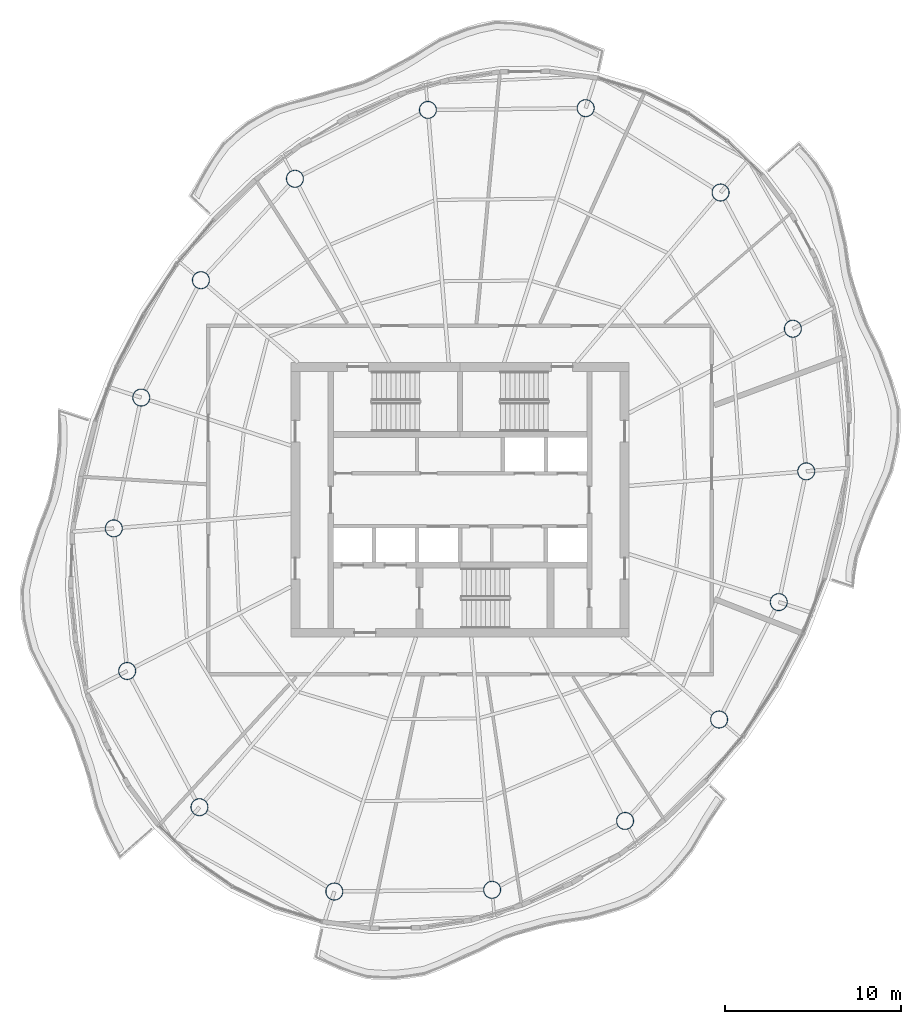
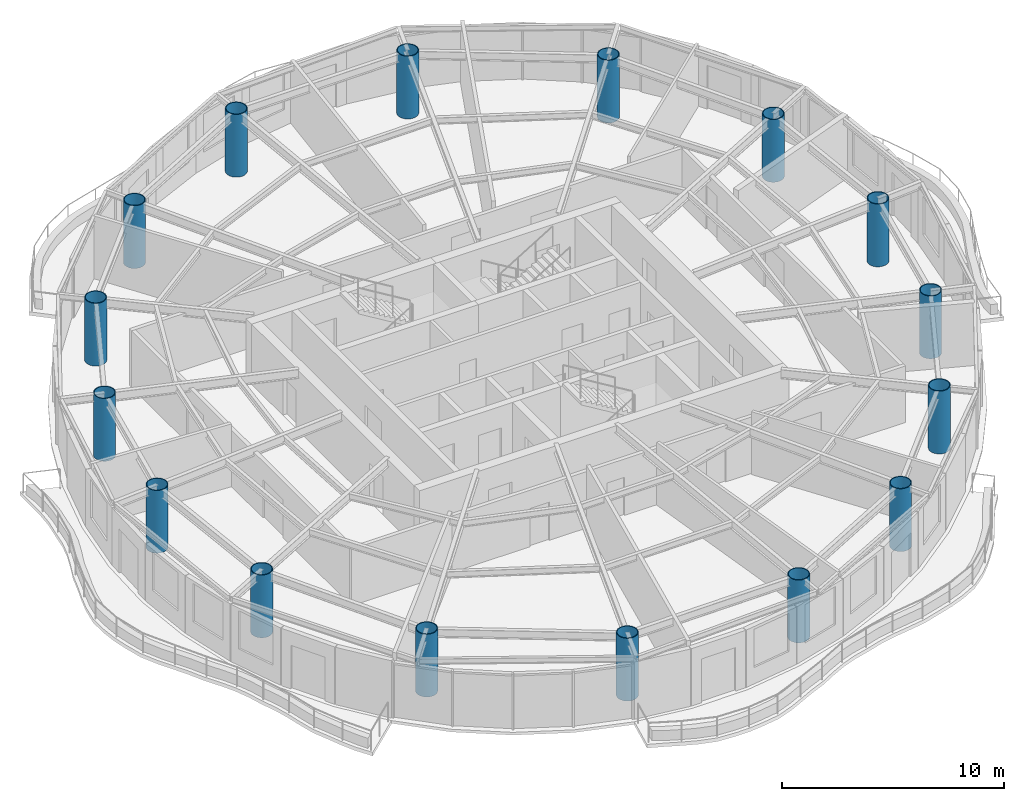
# One storey, part 1 of 13: 16 columns.
"""IFC4 building model written with IfcOpenShell, lengths in metres."""

from ifc_helpers import new_model, si_unit, direction, frame, origin, origin_2d, place, context, subcontext, project, spatial, hollow_circle, extrude, material, material_profile, profile_set, type_object, element, save


model = new_model("IFC4")

# Units and contexts
model_context = context("Model", 3, precision=1e-05, world=origin(), true_north=direction((0.0, 1.0)))
body_context = subcontext(model_context, "Body", "Model", "MODEL_VIEW")
ifc_project = project(units=[si_unit("LENGTHUNIT", "METRE"), si_unit("AREAUNIT", "SQUARE_METRE"), si_unit("VOLUMEUNIT", "CUBIC_METRE"), si_unit("PLANEANGLEUNIT", "RADIAN"), si_unit("MASSUNIT", "GRAM", prefix="KILO")], contexts=[model_context])

# Site, building, storey
site_placement = place(None, origin())
site = spatial("IfcSite", under=ifc_project, at=site_placement, CompositionType="ELEMENT")
building_placement = place(site_placement, origin())
building = spatial("IfcBuilding", under=site, at=building_placement, Name="Vermilion Reach Broadcast Tower", CompositionType="ELEMENT")
storey_placement = place(building_placement, frame((0.0, 0.0, 272.10009765625)))
storey = spatial("IfcBuildingStorey", under=building, at=storey_placement, Name="L67", CompositionType="ELEMENT", Elevation=272.10009765625)

# Columns
ifc_material = material(Name="Concrete C60 infill in steel S460NL tube", Category="concrete")
ifc_material_profile = material_profile(ifc_material, hollow_circle(Radius=0.5, WallThickness=0.0400390625, at=origin_2d()), Name="Concrete C60 infill in steel S460NL tube CFT 1000x40")
ifc_profile_set = profile_set([ifc_material_profile], Name="Concrete C60 infill in steel S460NL tube")
column_type = type_object("IfcColumnType", Name="MC5 CFT 1000x40", PredefinedType="COLUMN", material=ifc_profile_set)
for number, where, z_axis, x_axis, name in (
    (1, (1.138427734375, 22.2470703125, 0.0), (0.0, 0.0, 1.0), (1.0, 0.0, 0.0), "Mega-column MC5-01"),
    (2, (-7.824951171875, 22.1494140625, 0.0), (0.0, 0.0, 1.0), (1.0, 0.0, 0.0), "Mega-column MC5-02"),
    (3, (-15.376953125, 18.23779296875, 0.0), (0.0, 0.0, 1.0), (1.0, 0.0, 0.0), "Mega-column MC5-03"),
    (4, (-20.717529296875, 12.476806640625, 0.0), (0.0, 0.0, 1.0), (1.0, 0.0, 0.0), "Mega-column MC5-04"),
    (5, (-24.10595703125, 5.809814453125, 0.0), (0.0, 0.0, 1.0), (1.0, 0.0, 0.0), "Mega-column MC5-05"),
    (6, (-25.665771484375, -1.620361328125, 0.0), (0.0, 0.0, 1.0), (1.0, 0.0, 0.0), "Mega-column MC5-06"),
    (7, (-24.905517578125, -9.72021484375, 0.0), (0.0, 0.0, 1.0), (1.0, 0.0, 0.0), "Mega-column MC5-07"),
    (8, (-20.799560546875, -17.457275390625, 0.0), (0.0, 0.0, 1.0), (1.0, 0.0, 0.0), "Mega-column MC5-08"),
    (9, (-13.138427734375, -22.2470703125, 0.0), (0.0, 0.0, 1.0), (1.0, 0.0, 0.0), "Mega-column MC5-09"),
    (10, (-4.175048828125, -22.1494140625, 0.0), (0.0, 0.0, 1.0), (1.0, 0.0, 0.0), "Mega-column MC5-10"),
    (11, (3.376953125, -18.23779296875, 0.0), (0.0, 0.0, 1.0), (1.0, 0.0, 0.0), "Mega-column MC5-11"),
    (12, (8.717529296875, -12.476806640625, 0.0), (0.0, 0.0, 1.0), (1.0, 0.0, 0.0), "Mega-column MC5-12"),
    (13, (12.10595703125, -5.809814453125, 0.0), (0.0, 0.0, 1.0), (1.0, 0.0, 0.0), "Mega-column MC5-13"),
    (14, (13.665771484375, 1.620361328125, 0.0), (0.0, 0.0, 1.0), (1.0, 0.0, 0.0), "Mega-column MC5-14"),
    (15, (12.905517578125, 9.72021484375, 0.0), (0.0, 0.0, 1.0), (1.0, 0.0, 0.0), "Mega-column MC5-15"),
    (16, (8.799560546875, 17.457275390625, 0.0), (0.0, 0.0, 1.0), (1.0, 0.0, 0.0), "Mega-column MC5-16"),
):
    element("IfcColumn", number, at=place(storey_placement, frame(where, z_axis=z_axis, x_axis=x_axis)), inside=storey, type_object=column_type, Name=name, PredefinedType="COLUMN", context=body_context, shape_type="SweptSolid", body=[
        extrude(hollow_circle(Radius=0.5, WallThickness=0.0400390625, at=origin_2d()), origin(), (0.0, 0.0, 1.0), 3.449951171875),
    ])

save(model, "model.ifc")
